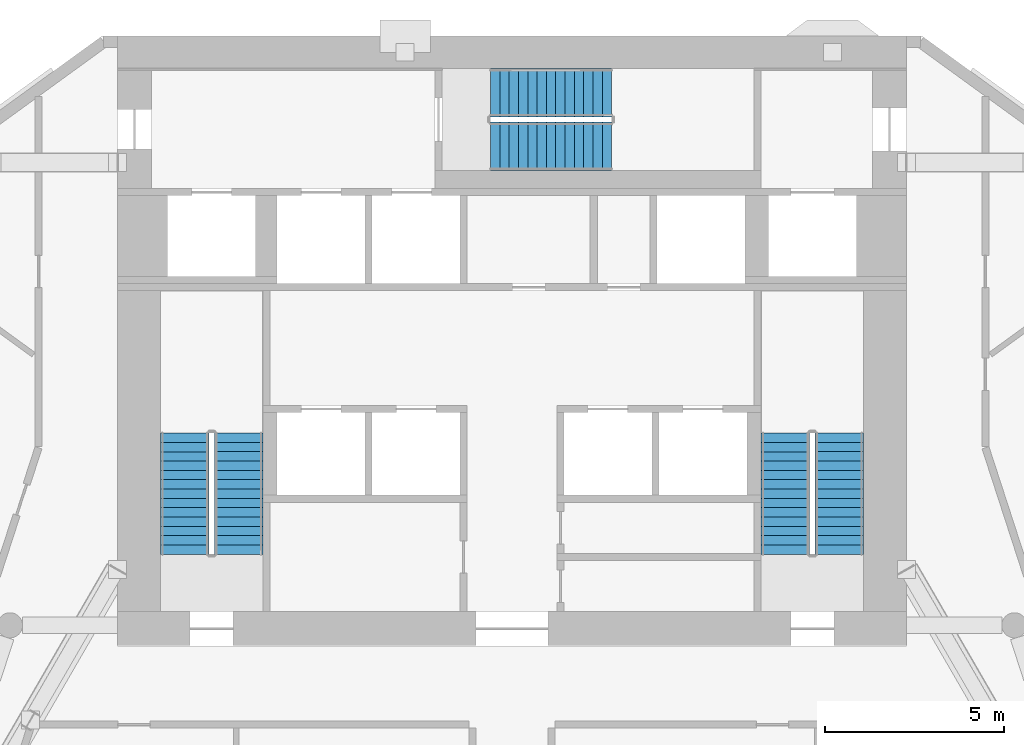
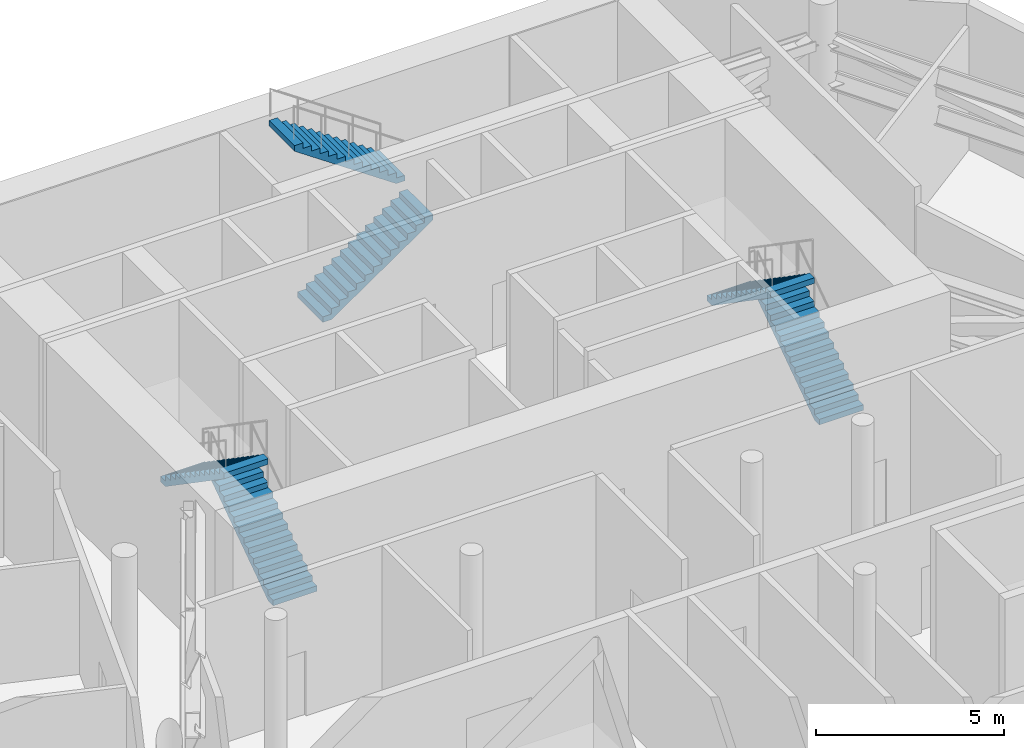
# One storey, part 12 of 17: 6 stair flights, 3 elements without a shape of their own.
"""IFC4 building model written with IfcOpenShell, lengths in metres."""

from ifc_helpers import new_model, si_unit, direction, frame, origin, place, context, subcontext, project, spatial, polyline, outline, extrude, material, layer, layer_set, type_object, element, aggregate, save


model = new_model("IFC4")

# Units and contexts
model_context = context("Model", 3, precision=1e-05, world=origin(), true_north=direction((0.0, 1.0)))
body_context = subcontext(model_context, "Body", "Model", "MODEL_VIEW")
ifc_project = project(units=[si_unit("LENGTHUNIT", "METRE"), si_unit("AREAUNIT", "SQUARE_METRE"), si_unit("VOLUMEUNIT", "CUBIC_METRE"), si_unit("PLANEANGLEUNIT", "RADIAN"), si_unit("MASSUNIT", "GRAM", prefix="KILO")], contexts=[model_context])

# Site, building, storey
site_placement = place(None, origin())
site = spatial("IfcSite", under=ifc_project, at=site_placement, CompositionType="ELEMENT")
building_placement = place(site_placement, origin())
building = spatial("IfcBuilding", under=site, at=building_placement, Name="White Candle Pilgrim Tower", CompositionType="ELEMENT")
storey_placement = place(building_placement, frame((0.0, 0.0, 191.5)))
storey = spatial("IfcBuildingStorey", under=building, at=storey_placement, Name="L44", CompositionType="ELEMENT", Elevation=191.5)

# Stair, stair flights
ifc_material = material(Name="Concrete C40/50", Category="concrete")
stair_type_1 = type_object("IfcStairType", Name="Exit stair 1 flight width 1350 mm", PredefinedType="HALF_TURN_STAIR", material=ifc_material)
stair_1_placement = place(storey_placement, origin())
stair_1 = element("IfcStair", 1, at=stair_1_placement, inside=storey, type_object=stair_type_1, Name="L44 stair 1", PredefinedType="NOTDEFINED")
ifc_layer = layer(ifc_material, 0.14990234375)
ifc_layer_set = layer_set([ifc_layer], Name="Stair flight Concrete C40/50")
stair_flight_type = type_object("IfcStairFlightType", Name="Stair flight Concrete C40/50", PredefinedType="STRAIGHT", material=ifc_layer_set)
stair_flight_1_placement = place(storey_placement, frame((62.375, 73.550048828125, 0.0), z_axis=(0.0, 0.0, 1.0), x_axis=(0.0, 1.0, 0.0)))
stair_flight_1 = element("IfcStairFlight", 2, at=stair_flight_1_placement, type_object=stair_flight_type, Name="ST1 flight 1", NumberOfRisers=14, NumberOfTreads=13, PredefinedType="NOTDEFINED", RiserHeight=0.178571429, TreadLength=0.26, context=body_context, shape_type="SweptSolid", body=[
    extrude(outline(polyline([(0.0, 0.0), (0.0, 0.178466796875), (0.260009765625, 0.178466796875), (0.260009765625, 0.357177734375), (0.52001953125, 0.357177734375), (0.52001953125, 0.53564453125), (0.780029296875, 0.53564453125), (0.780029296875, 0.71435546875), (1.0400390625, 0.71435546875), (1.0400390625, 0.892822265625), (1.300048828125, 0.892822265625), (1.300048828125, 1.071533203125), (1.56005859375, 1.071533203125), (1.56005859375, 1.25), (1.820068359375, 1.25), (1.820068359375, 1.428466796875), (2.080078125, 1.428466796875), (2.080078125, 1.607177734375), (2.340087890625, 1.607177734375), (2.340087890625, 1.78564453125), (2.60009765625, 1.78564453125), (2.60009765625, 1.96435546875), (2.860107421875, 1.96435546875), (2.860107421875, 2.142822265625), (3.1201171875, 2.142822265625), (3.1201171875, 2.321533203125), (3.3798828125, 2.321533203125), (3.3798828125, 2.5), (3.3798828125, 2.1396484375), (0.264892578125, 0.0), (0.0, 0.0)])), frame((0.0, 0.675048828125, 0.0), z_axis=(0.0, -1.0, 0.0), x_axis=(1.0, 0.0, 0.0)), (0.0, 0.0, 1.0), 1.35009765625),
])
stair_flight_2_placement = place(storey_placement, frame((60.875, 76.929931640625, 2.5), z_axis=(0.0, 0.0, 1.0), x_axis=(0.0, -1.0, 0.0)))
stair_flight_2 = element("IfcStairFlight", 3, at=stair_flight_2_placement, type_object=stair_flight_type, Name="ST1 flight 2", NumberOfRisers=14, NumberOfTreads=13, PredefinedType="NOTDEFINED", RiserHeight=0.178571429, TreadLength=0.26, context=body_context, shape_type="SweptSolid", body=[
    extrude(outline(polyline([(0.0, 0.0), (0.0, 0.178466796875), (0.260009765625, 0.178466796875), (0.260009765625, 0.357177734375), (0.52001953125, 0.357177734375), (0.52001953125, 0.53564453125), (0.780029296875, 0.53564453125), (0.780029296875, 0.71435546875), (1.0400390625, 0.71435546875), (1.0400390625, 0.892822265625), (1.300048828125, 0.892822265625), (1.300048828125, 1.071533203125), (1.56005859375, 1.071533203125), (1.56005859375, 1.25), (1.820068359375, 1.25), (1.820068359375, 1.428466796875), (2.080078125, 1.428466796875), (2.080078125, 1.607177734375), (2.340087890625, 1.607177734375), (2.340087890625, 1.78564453125), (2.60009765625, 1.78564453125), (2.60009765625, 1.96435546875), (2.860107421875, 1.96435546875), (2.860107421875, 2.142822265625), (3.1201171875, 2.142822265625), (3.1201171875, 2.321533203125), (3.3798828125, 2.321533203125), (3.3798828125, 2.5), (3.3798828125, 2.1396484375), (0.264892578125, 0.0), (0.0, 0.0)])), frame((0.0, 0.675048828125, 0.0), z_axis=(0.0, -1.0, 0.0), x_axis=(1.0, 0.0, 0.0)), (0.0, 0.0, 1.0), 1.35009765625),
])
aggregate(stair_1, [stair_flight_1, stair_flight_2])

stair_type_2 = type_object("IfcStairType", Name="Exit stair 2 flight width 1350 mm", PredefinedType="HALF_TURN_STAIR", material=ifc_material)
stair_2_placement = place(storey_placement, origin())
stair_2 = element("IfcStair", 4, at=stair_2_placement, inside=storey, type_object=stair_type_2, Name="L44 stair 2", PredefinedType="NOTDEFINED")
stair_flight_3_placement = place(storey_placement, frame((79.125, 73.550048828125, 0.0), z_axis=(0.0, 0.0, 1.0), x_axis=(0.0, 1.0, 0.0)))
stair_flight_3 = element("IfcStairFlight", 5, at=stair_flight_3_placement, type_object=stair_flight_type, Name="ST2 flight 1", NumberOfRisers=14, NumberOfTreads=13, PredefinedType="NOTDEFINED", RiserHeight=0.178571429, TreadLength=0.26, context=body_context, shape_type="SweptSolid", body=[
    extrude(outline(polyline([(0.0, 0.0), (0.0, 0.178466796875), (0.260009765625, 0.178466796875), (0.260009765625, 0.357177734375), (0.52001953125, 0.357177734375), (0.52001953125, 0.53564453125), (0.780029296875, 0.53564453125), (0.780029296875, 0.71435546875), (1.0400390625, 0.71435546875), (1.0400390625, 0.892822265625), (1.300048828125, 0.892822265625), (1.300048828125, 1.071533203125), (1.56005859375, 1.071533203125), (1.56005859375, 1.25), (1.820068359375, 1.25), (1.820068359375, 1.428466796875), (2.080078125, 1.428466796875), (2.080078125, 1.607177734375), (2.340087890625, 1.607177734375), (2.340087890625, 1.78564453125), (2.60009765625, 1.78564453125), (2.60009765625, 1.96435546875), (2.860107421875, 1.96435546875), (2.860107421875, 2.142822265625), (3.1201171875, 2.142822265625), (3.1201171875, 2.321533203125), (3.3798828125, 2.321533203125), (3.3798828125, 2.5), (3.3798828125, 2.1396484375), (0.264892578125, 0.0), (0.0, 0.0)])), frame((0.0, 0.675048828125, 0.0), z_axis=(0.0, -1.0, 0.0), x_axis=(1.0, 0.0, 0.0)), (0.0, 0.0, 1.0), 1.35009765625),
])
stair_flight_4_placement = place(storey_placement, frame((77.625, 76.929931640625, 2.5), z_axis=(0.0, 0.0, 1.0), x_axis=(0.0, -1.0, 0.0)))
stair_flight_4 = element("IfcStairFlight", 6, at=stair_flight_4_placement, type_object=stair_flight_type, Name="ST2 flight 2", NumberOfRisers=14, NumberOfTreads=13, PredefinedType="NOTDEFINED", RiserHeight=0.178571429, TreadLength=0.26, context=body_context, shape_type="SweptSolid", body=[
    extrude(outline(polyline([(0.0, 0.0), (0.0, 0.178466796875), (0.260009765625, 0.178466796875), (0.260009765625, 0.357177734375), (0.52001953125, 0.357177734375), (0.52001953125, 0.53564453125), (0.780029296875, 0.53564453125), (0.780029296875, 0.71435546875), (1.0400390625, 0.71435546875), (1.0400390625, 0.892822265625), (1.300048828125, 0.892822265625), (1.300048828125, 1.071533203125), (1.56005859375, 1.071533203125), (1.56005859375, 1.25), (1.820068359375, 1.25), (1.820068359375, 1.428466796875), (2.080078125, 1.428466796875), (2.080078125, 1.607177734375), (2.340087890625, 1.607177734375), (2.340087890625, 1.78564453125), (2.60009765625, 1.78564453125), (2.60009765625, 1.96435546875), (2.860107421875, 1.96435546875), (2.860107421875, 2.142822265625), (3.1201171875, 2.142822265625), (3.1201171875, 2.321533203125), (3.3798828125, 2.321533203125), (3.3798828125, 2.5), (3.3798828125, 2.1396484375), (0.264892578125, 0.0), (0.0, 0.0)])), frame((0.0, 0.675048828125, 0.0), z_axis=(0.0, -1.0, 0.0), x_axis=(1.0, 0.0, 0.0)), (0.0, 0.0, 1.0), 1.35009765625),
])
aggregate(stair_2, [stair_flight_3, stair_flight_4])

stair_type_3 = type_object("IfcStairType", Name="Exit stair 3 flight width 1350 mm", PredefinedType="HALF_TURN_STAIR", material=ifc_material)
stair_3_placement = place(storey_placement, origin())
stair_3 = element("IfcStair", 7, at=stair_3_placement, inside=storey, type_object=stair_type_3, Name="L44 stair 3", PredefinedType="NOTDEFINED")
stair_flight_5_placement = place(storey_placement, frame((69.39990234375, 84.925048828125, 0.0), z_axis=(0.0, 0.0, 1.0), x_axis=(1.0, 0.0, 0.0)))
stair_flight_5 = element("IfcStairFlight", 8, at=stair_flight_5_placement, type_object=stair_flight_type, Name="ST3 flight 1", NumberOfRisers=14, NumberOfTreads=13, PredefinedType="NOTDEFINED", RiserHeight=0.178571429, TreadLength=0.26, context=body_context, shape_type="SweptSolid", body=[
    extrude(outline(polyline([(0.0, 0.0), (0.0, 0.178466796875), (0.260009765625, 0.178466796875), (0.260009765625, 0.357177734375), (0.52001953125, 0.357177734375), (0.52001953125, 0.53564453125), (0.780029296875, 0.53564453125), (0.780029296875, 0.71435546875), (1.0400390625, 0.71435546875), (1.0400390625, 0.892822265625), (1.300048828125, 0.892822265625), (1.300048828125, 1.071533203125), (1.56005859375, 1.071533203125), (1.56005859375, 1.25), (1.820068359375, 1.25), (1.820068359375, 1.428466796875), (2.080078125, 1.428466796875), (2.080078125, 1.607177734375), (2.340087890625, 1.607177734375), (2.340087890625, 1.78564453125), (2.60009765625, 1.78564453125), (2.60009765625, 1.96435546875), (2.860107421875, 1.96435546875), (2.860107421875, 2.142822265625), (3.1201171875, 2.142822265625), (3.1201171875, 2.321533203125), (3.3798828125, 2.321533203125), (3.3798828125, 2.5), (3.3798828125, 2.1396484375), (0.264892578125, 0.0), (0.0, 0.0)])), frame((0.0, 0.675048828125, 0.0), z_axis=(0.0, -1.0, 0.0), x_axis=(1.0, 0.0, 0.0)), (0.0, 0.0, 1.0), 1.35009765625),
])
stair_flight_6_placement = place(storey_placement, frame((72.780029296875, 86.425048828125, 2.5), z_axis=(0.0, 0.0, 1.0), x_axis=(-1.0, 0.0, 0.0)))
stair_flight_6 = element("IfcStairFlight", 9, at=stair_flight_6_placement, type_object=stair_flight_type, Name="ST3 flight 2", NumberOfRisers=14, NumberOfTreads=13, PredefinedType="NOTDEFINED", RiserHeight=0.178571429, TreadLength=0.26, context=body_context, shape_type="SweptSolid", body=[
    extrude(outline(polyline([(0.0, 0.0), (0.0, 0.178466796875), (0.260009765625, 0.178466796875), (0.260009765625, 0.357177734375), (0.52001953125, 0.357177734375), (0.52001953125, 0.53564453125), (0.780029296875, 0.53564453125), (0.780029296875, 0.71435546875), (1.0400390625, 0.71435546875), (1.0400390625, 0.892822265625), (1.300048828125, 0.892822265625), (1.300048828125, 1.071533203125), (1.56005859375, 1.071533203125), (1.56005859375, 1.25), (1.820068359375, 1.25), (1.820068359375, 1.428466796875), (2.080078125, 1.428466796875), (2.080078125, 1.607177734375), (2.340087890625, 1.607177734375), (2.340087890625, 1.78564453125), (2.60009765625, 1.78564453125), (2.60009765625, 1.96435546875), (2.860107421875, 1.96435546875), (2.860107421875, 2.142822265625), (3.1201171875, 2.142822265625), (3.1201171875, 2.321533203125), (3.3798828125, 2.321533203125), (3.3798828125, 2.5), (3.3798828125, 2.1396484375), (0.264892578125, 0.0), (0.0, 0.0)])), frame((0.0, 0.675048828125, 0.0), z_axis=(0.0, -1.0, 0.0), x_axis=(1.0, 0.0, 0.0)), (0.0, 0.0, 1.0), 1.35009765625),
])
aggregate(stair_3, [stair_flight_5, stair_flight_6])

save(model, "model.ifc")
